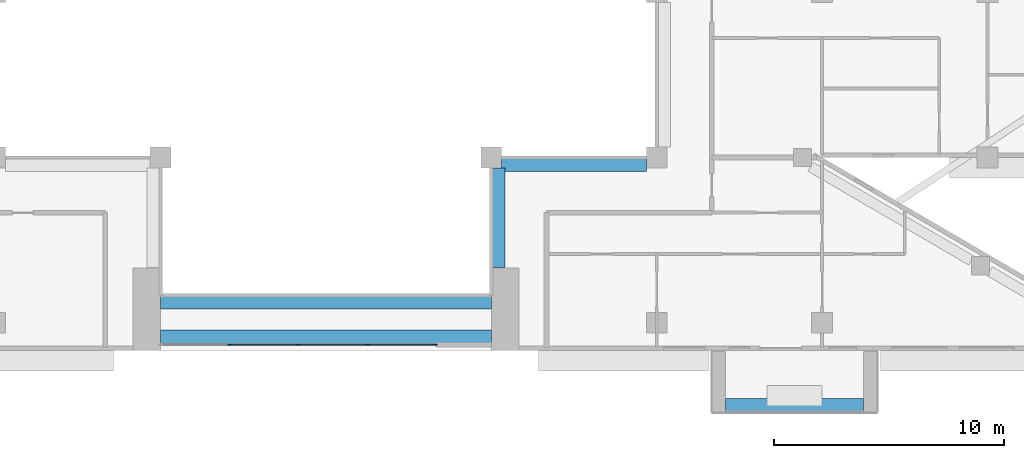
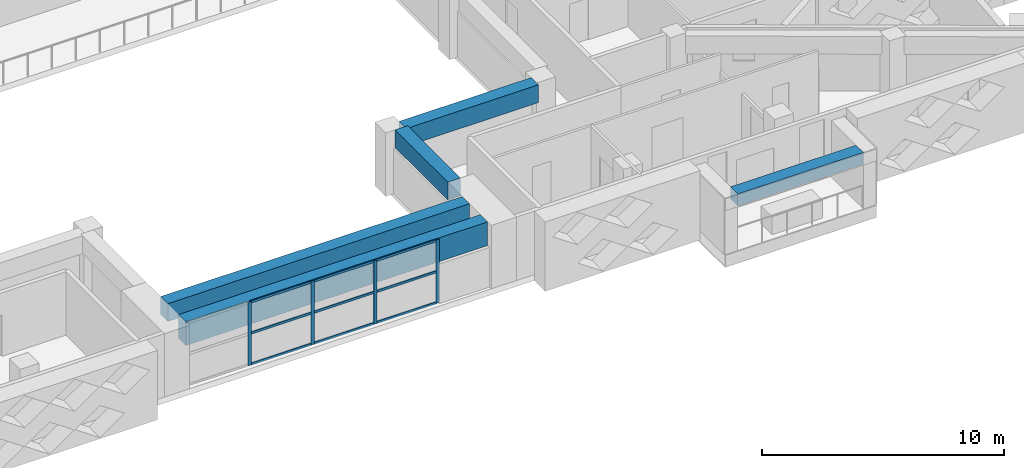
# One storey, part 4 of 20: 13 members, 5 beams, 1 element without a shape of its own.
"""IFC4 building model written with IfcOpenShell, lengths in metres."""

from ifc_helpers import new_model, si_unit, direction, frame, origin, origin_2d, place, context, subcontext, project, spatial, rectangle, extrude, source, transform, mapped, material, layer, layer_set, material_profile, profile_set, type_object, element, aggregate, save


model = new_model("IFC4")

# Units and contexts
model_context = context("Model", 3, precision=1e-05, world=origin(), true_north=direction((0.0, 1.0)))
body_context = subcontext(model_context, "Body", "Model", "MODEL_VIEW")
ifc_project = project(units=[si_unit("LENGTHUNIT", "METRE"), si_unit("AREAUNIT", "SQUARE_METRE"), si_unit("VOLUMEUNIT", "CUBIC_METRE"), si_unit("PLANEANGLEUNIT", "RADIAN"), si_unit("MASSUNIT", "GRAM", prefix="KILO")], contexts=[model_context])

# Site, building, storey
site_placement = place(None, origin())
site = spatial("IfcSite", under=ifc_project, at=site_placement, CompositionType="ELEMENT")
building_placement = place(site_placement, origin())
building = spatial("IfcBuilding", under=site, at=building_placement, Name="Saffron Iwan Residences", CompositionType="ELEMENT")
storey_placement = place(building_placement, frame((0.0, 0.0, 185.0)))
storey = spatial("IfcBuildingStorey", under=building, at=storey_placement, Name="L49", CompositionType="ELEMENT", Elevation=185.0)

# Beams
ifc_material_1 = material(Name="Concrete C50/60", Category="concrete")
ifc_material_profile_1 = material_profile(ifc_material_1, rectangle(XDim=0.60009765625, YDim=1.199951171875, at=origin_2d()), Name="RC 600x1200")
ifc_profile_set_1 = profile_set([ifc_material_profile_1], Name="Concrete C50/60")
beam_type_1 = type_object("IfcBeamType", Name="LINTEL BEAM RC 600x1200 C50/60 TOP 3200", PredefinedType="LINTEL", material=ifc_profile_set_1)
shared_shape_1 = source(origin(), body_context, "Body", "SweptSolid", [
    extrude(rectangle(XDim=0.60009765625, YDim=1.199951171875, at=origin_2d()), origin(), (0.0, 0.0, 1.0), 14.400146484375),
])
beam_1_placement = place(storey_placement, frame((57.60009765625, 40.199951171875, 2.60009765625), z_axis=(-1.0, 0.0, 0.0), x_axis=(0.0, -1.0, 0.0)))
element("IfcBeam", 1, at=beam_1_placement, inside=storey, type_object=beam_type_1, Name="Lintel beam over the iwan", PredefinedType="LINTEL", context=body_context, shape_type="MappedRepresentation", body=[
    mapped(shared_shape_1, transform((0.0, 0.0, 0.0))),
])
ifc_material_profile_2 = material_profile(ifc_material_1, rectangle(XDim=0.60009765625, YDim=0.89990234375, at=origin_2d()), Name="RC 600x900")
ifc_profile_set_2 = profile_set([ifc_material_profile_2], Name="Concrete C50/60")
beam_type_2 = type_object("IfcBeamType", Name="BEAM RC 600x900 C50/60 TOP 3200", PredefinedType="BEAM", material=ifc_profile_set_2)
shared_shape_2 = source(origin(), body_context, "Body", "SweptSolid", [
    extrude(rectangle(XDim=0.60009765625, YDim=0.89990234375, at=origin_2d()), origin(), (0.0, 0.0, 1.0), 14.400146484375),
])
beam_2_placement = place(storey_placement, frame((57.60009765625, 41.699951171875, 2.75), z_axis=(-1.0, 0.0, 0.0), x_axis=(0.0, -1.0, 0.0)))
element("IfcBeam", 2, at=beam_2_placement, inside=storey, type_object=beam_type_2, Name="Atrium edge beam", PredefinedType="BEAM", context=body_context, shape_type="MappedRepresentation", body=[
    mapped(shared_shape_2, transform((0.0, 0.0, 0.0))),
])
shared_shape_3 = source(origin(), body_context, "Body", "SweptSolid", [
    extrude(rectangle(XDim=0.60009765625, YDim=0.89990234375, at=origin_2d()), origin(), (0.0, 0.0, 1.0), 4.35009765625),
])
beam_3_placement = place(storey_placement, frame((57.89990234375, 47.550048828125, 2.75), z_axis=(0.0, -1.0, 0.0), x_axis=(1.0, 0.0, 0.0)))
element("IfcBeam", 3, at=beam_3_placement, inside=storey, type_object=beam_type_2, Name="Atrium edge beam", PredefinedType="BEAM", context=body_context, shape_type="MappedRepresentation", body=[
    mapped(shared_shape_3, transform((0.0, 0.0, 0.0))),
])
shared_shape_4 = source(origin(), body_context, "Body", "SweptSolid", [
    extrude(rectangle(XDim=0.60009765625, YDim=0.89990234375, at=origin_2d()), origin(), (0.0, 0.0, 1.0), 6.300048828125),
])
beam_4_placement = place(storey_placement, frame((64.35009765625, 47.699951171875, 2.75), z_axis=(-1.0, 0.0, 0.0), x_axis=(0.0, -1.0, 0.0)))
element("IfcBeam", 4, at=beam_4_placement, inside=storey, type_object=beam_type_2, Name="Atrium edge beam", PredefinedType="BEAM", context=body_context, shape_type="MappedRepresentation", body=[
    mapped(shared_shape_4, transform((0.0, 0.0, 0.0))),
])

# Curtain wall, members
ifc_material_2 = material(Name="Clear glass, laminated double glazed", Category="glass")
ifc_layer = layer(ifc_material_2, 0.199951171875)
ifc_layer_set = layer_set([ifc_layer], Name="Clear glass, laminated double glazed")
curtain_wall_type = type_object("IfcCurtainWallType", Name="CW-B IWAN PORTAL", PredefinedType="NOTDEFINED", material=ifc_layer_set)
curtain_wall_placement = place(storey_placement, origin())
curtain_wall = element("IfcCurtainWall", 5, at=curtain_wall_placement, inside=storey, type_object=curtain_wall_type, Name="Iwan portal glazing L49.1", PredefinedType="NOTDEFINED")
ifc_material_3 = material(Name="Aluminium 6063-T6", Category="aluminium")
ifc_material_profile_3 = material_profile(ifc_material_3, rectangle(XDim=0.06005859375, YDim=0.1201171875, at=origin_2d()), Name="CW-B TRANSOM 60 x 120")
ifc_profile_set_3 = profile_set([ifc_material_profile_3], Name="Aluminium 6063-T6")
member_type_1 = type_object("IfcMemberType", Name="CW-B TRANSOM 60 x 120", PredefinedType="USERDEFINED", material=ifc_profile_set_3)
shared_shape_5 = source(origin(), body_context, "Body", "SweptSolid", [
    extrude(rectangle(XDim=0.06005859375, YDim=0.1201171875, at=origin_2d()), origin(), (0.0, 0.0, 1.0), 2.909912109375),
])
member_1_placement = place(storey_placement, frame((52.22998046875, 39.85009765625, 0.030029296875), z_axis=(1.0, 0.0, 0.0), x_axis=(0.0, 1.0, 0.0)))
member_1 = element("IfcMember", 6, at=member_1_placement, type_object=member_type_1, Name="CW-B transom 4.1", ObjectType="TRANSOM", PredefinedType="USERDEFINED", context=body_context, shape_type="MappedRepresentation", body=[
    mapped(shared_shape_5, transform((0.0, 0.0, 0.0))),
])
member_2_placement = place(storey_placement, frame((52.22998046875, 39.85009765625, 1.60009765625), z_axis=(1.0, 0.0, 0.0), x_axis=(0.0, 1.0, 0.0)))
member_2 = element("IfcMember", 7, at=member_2_placement, type_object=member_type_1, Name="CW-B transom 4.2", ObjectType="TRANSOM", PredefinedType="USERDEFINED", context=body_context, shape_type="MappedRepresentation", body=[
    mapped(shared_shape_5, transform((0.0, 0.0, 0.0))),
])
member_3_placement = place(storey_placement, frame((52.22998046875, 39.85009765625, 3.169921875), z_axis=(1.0, 0.0, 0.0), x_axis=(0.0, 1.0, 0.0)))
member_3 = element("IfcMember", 8, at=member_3_placement, type_object=member_type_1, Name="CW-B transom 4.3", ObjectType="TRANSOM", PredefinedType="USERDEFINED", context=body_context, shape_type="MappedRepresentation", body=[
    mapped(shared_shape_5, transform((0.0, 0.0, 0.0))),
])
shared_shape_6 = source(origin(), body_context, "Body", "SweptSolid", [
    extrude(rectangle(XDim=0.06005859375, YDim=0.1201171875, at=origin_2d()), origin(), (0.0, 0.0, 1.0), 2.93994140625),
])
member_4_placement = place(storey_placement, frame((46.22998046875, 39.85009765625, 0.030029296875), z_axis=(1.0, 0.0, 0.0), x_axis=(0.0, 1.0, 0.0)))
member_4 = element("IfcMember", 9, at=member_4_placement, type_object=member_type_1, Name="CW-B transom 2.1", ObjectType="TRANSOM", PredefinedType="USERDEFINED", context=body_context, shape_type="MappedRepresentation", body=[
    mapped(shared_shape_6, transform((0.0, 0.0, 0.0))),
])
member_5_placement = place(storey_placement, frame((46.22998046875, 39.85009765625, 1.60009765625), z_axis=(1.0, 0.0, 0.0), x_axis=(0.0, 1.0, 0.0)))
member_5 = element("IfcMember", 10, at=member_5_placement, type_object=member_type_1, Name="CW-B transom 2.2", ObjectType="TRANSOM", PredefinedType="USERDEFINED", context=body_context, shape_type="MappedRepresentation", body=[
    mapped(shared_shape_6, transform((0.0, 0.0, 0.0))),
])
member_6_placement = place(storey_placement, frame((46.22998046875, 39.85009765625, 3.169921875), z_axis=(1.0, 0.0, 0.0), x_axis=(0.0, 1.0, 0.0)))
member_6 = element("IfcMember", 11, at=member_6_placement, type_object=member_type_1, Name="CW-B transom 2.3", ObjectType="TRANSOM", PredefinedType="USERDEFINED", context=body_context, shape_type="MappedRepresentation", body=[
    mapped(shared_shape_6, transform((0.0, 0.0, 0.0))),
])
member_7_placement = place(storey_placement, frame((49.22998046875, 39.85009765625, 0.030029296875), z_axis=(1.0, 0.0, 0.0), x_axis=(0.0, 1.0, 0.0)))
member_7 = element("IfcMember", 12, at=member_7_placement, type_object=member_type_1, Name="CW-B transom 3.1", ObjectType="TRANSOM", PredefinedType="USERDEFINED", context=body_context, shape_type="MappedRepresentation", body=[
    mapped(shared_shape_6, transform((0.0, 0.0, 0.0))),
])
member_8_placement = place(storey_placement, frame((49.22998046875, 39.85009765625, 1.60009765625), z_axis=(1.0, 0.0, 0.0), x_axis=(0.0, 1.0, 0.0)))
member_8 = element("IfcMember", 13, at=member_8_placement, type_object=member_type_1, Name="CW-B transom 3.2", ObjectType="TRANSOM", PredefinedType="USERDEFINED", context=body_context, shape_type="MappedRepresentation", body=[
    mapped(shared_shape_6, transform((0.0, 0.0, 0.0))),
])
member_9_placement = place(storey_placement, frame((49.22998046875, 39.85009765625, 3.169921875), z_axis=(1.0, 0.0, 0.0), x_axis=(0.0, 1.0, 0.0)))
member_9 = element("IfcMember", 14, at=member_9_placement, type_object=member_type_1, Name="CW-B transom 3.3", ObjectType="TRANSOM", PredefinedType="USERDEFINED", context=body_context, shape_type="MappedRepresentation", body=[
    mapped(shared_shape_6, transform((0.0, 0.0, 0.0))),
])

# Beam
ifc_material_4 = material(Name="Concrete C50/60 white painted", Category="concrete")
ifc_material_profile_4 = material_profile(ifc_material_4, rectangle(XDim=0.60009765625, YDim=0.60009765625, at=origin_2d()), Name="BALCONY FASCIA BEAM 600 x 600")
ifc_profile_set_4 = profile_set([ifc_material_profile_4], Name="Concrete C50/60 white painted")
beam_type_3 = type_object("IfcBeamType", Name="BALCONY FASCIA BEAM 600 x 600", PredefinedType="BEAM", material=ifc_profile_set_4)
shared_shape_7 = source(origin(), body_context, "Body", "SweptSolid", [
    extrude(rectangle(XDim=0.60009765625, YDim=0.60009765625, at=origin_2d()), origin(), (0.0, 0.0, 1.0), 6.0),
])
beam_5_placement = place(storey_placement, frame((67.800048828125, 37.199951171875, 2.550048828125), z_axis=(1.0, 0.0, 0.0), x_axis=(0.0, 1.0, 0.0)))
element("IfcBeam", 15, at=beam_5_placement, inside=storey, type_object=beam_type_3, Name="Balcony fascia beam L49 11-1", PredefinedType="BEAM", context=body_context, shape_type="MappedRepresentation", body=[
    mapped(shared_shape_7, transform((0.0, 0.0, 0.0))),
])

# Member
ifc_material_profile_5 = material_profile(ifc_material_3, rectangle(XDim=0.06005859375, YDim=0.159912109375, at=origin_2d()), Name="CW-B MULLION 60 x 160")
ifc_profile_set_5 = profile_set([ifc_material_profile_5], Name="Aluminium 6063-T6")
member_type_2 = type_object("IfcMemberType", Name="CW-B MULLION 60 x 160", PredefinedType="MULLION", material=ifc_profile_set_5)
shared_shape_8 = source(origin(), body_context, "Body", "SweptSolid", [
    extrude(rectangle(XDim=0.06005859375, YDim=0.159912109375, at=origin_2d()), origin(), (0.0, 0.0, 1.0), 3.199951171875),
])
member_10_placement = place(storey_placement, frame((46.199951171875, 39.85009765625, 0.0), z_axis=(0.0, 0.0, 1.0), x_axis=(0.0, 1.0, 0.0)))
member_10 = element("IfcMember", 16, at=member_10_placement, type_object=member_type_2, Name="CW-B mullion 2", PredefinedType="MULLION", context=body_context, shape_type="MappedRepresentation", body=[
    mapped(shared_shape_8, transform((0.0, 0.0, 0.0))),
])

member_11_placement = place(storey_placement, frame((49.199951171875, 39.85009765625, 0.0), z_axis=(0.0, 0.0, 1.0), x_axis=(0.0, 1.0, 0.0)))
member_11 = element("IfcMember", 17, at=member_11_placement, type_object=member_type_2, Name="CW-B mullion 3", PredefinedType="MULLION", context=body_context, shape_type="MappedRepresentation", body=[
    mapped(shared_shape_8, transform((0.0, 0.0, 0.0))),
])

member_12_placement = place(storey_placement, frame((52.199951171875, 39.85009765625, 0.0), z_axis=(0.0, 0.0, 1.0), x_axis=(0.0, 1.0, 0.0)))
member_12 = element("IfcMember", 18, at=member_12_placement, type_object=member_type_2, Name="CW-B mullion 4", PredefinedType="MULLION", context=body_context, shape_type="MappedRepresentation", body=[
    mapped(shared_shape_8, transform((0.0, 0.0, 0.0))),
])

member_13_placement = place(storey_placement, frame((55.169921875, 39.85009765625, 0.0), z_axis=(0.0, 0.0, 1.0), x_axis=(0.0, 1.0, 0.0)))
member_13 = element("IfcMember", 19, at=member_13_placement, type_object=member_type_2, Name="CW-B mullion 5", PredefinedType="MULLION", context=body_context, shape_type="MappedRepresentation", body=[
    mapped(shared_shape_8, transform((0.0, 0.0, 0.0))),
])

aggregate(curtain_wall, [member_10, member_11, member_12, member_13, member_4, member_5, member_6, member_7, member_8, member_9, member_1, member_2, member_3])

save(model, "model.ifc")
